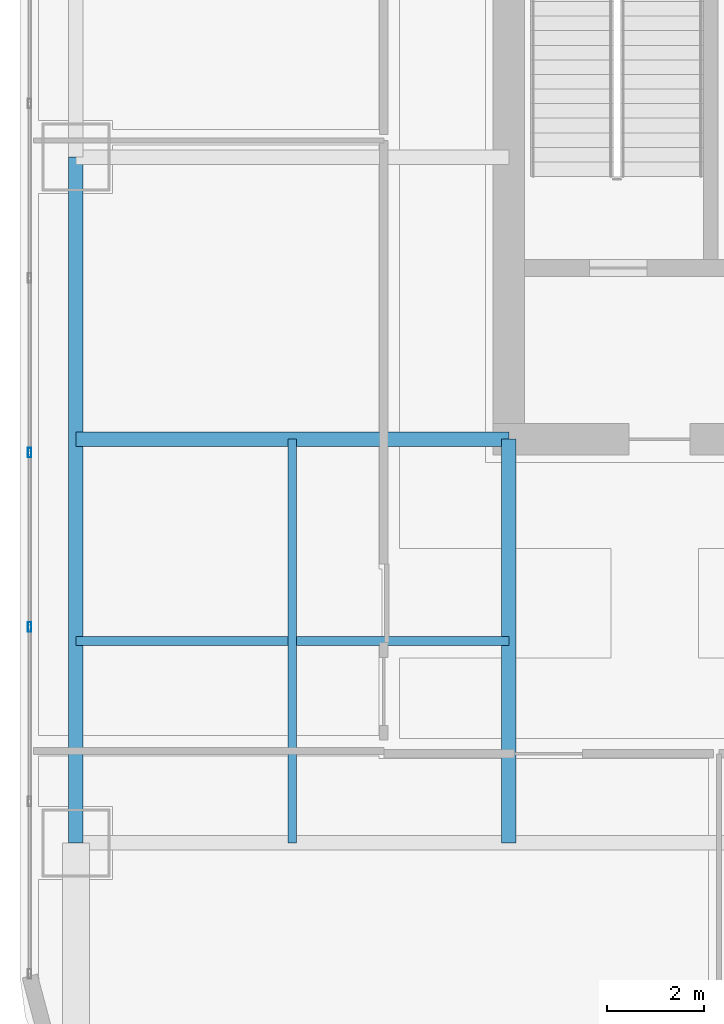
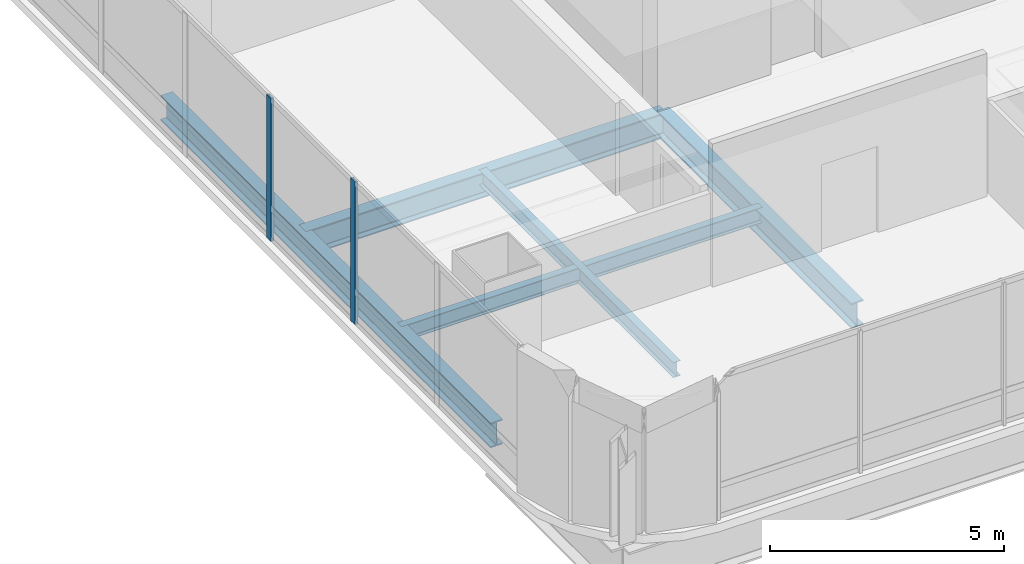
# One storey, part 4 of 35: 5 beams, 2 members, 1 element without a shape of its own.
"""IFC4 building model written with IfcOpenShell, lengths in metres."""

from ifc_helpers import new_model, si_unit, direction, frame, origin, origin_2d, place, context, subcontext, project, spatial, hollow_rectangle, i_section, extrude, material, material_profile, profile_set, type_object, element, aggregate, save


model = new_model("IFC4")

# Units and contexts
model_context = context("Model", 3, precision=1e-05, world=origin(), true_north=direction((0.0, 1.0)))
body_context = subcontext(model_context, "Body", "Model", "MODEL_VIEW")
ifc_project = project(units=[si_unit("LENGTHUNIT", "METRE"), si_unit("AREAUNIT", "SQUARE_METRE"), si_unit("VOLUMEUNIT", "CUBIC_METRE"), si_unit("PLANEANGLEUNIT", "RADIAN"), si_unit("MASSUNIT", "GRAM", prefix="KILO")], contexts=[model_context])

# Site, building, storey
site_placement = place(None, origin())
site = spatial("IfcSite", under=ifc_project, at=site_placement, CompositionType="ELEMENT")
building_placement = place(site_placement, origin())
building = spatial("IfcBuilding", under=site, at=building_placement, Name="Punatoya Terracotta Tower", CompositionType="ELEMENT")
storey_placement = place(building_placement, frame((0.0, 0.0, 232.949951171875)))
storey = spatial("IfcBuildingStorey", under=building, at=storey_placement, Name="L55", CompositionType="ELEMENT", Elevation=232.949951171875)

# Beams
ifc_material_1 = material(Name="Steel S355", Category="steel")
ifc_material_profile_1 = material_profile(ifc_material_1, i_section(OverallWidth=0.300048828125, OverallDepth=0.64990234375, WebThickness=0.01611328125, FlangeThickness=0.031005859375, FilletRadius=0.01806640625, at=origin_2d()))
ifc_profile_set_1 = profile_set([ifc_material_profile_1], Name="Steel S355")
beam_type_1 = type_object("IfcBeamType", Name="BM-PRI-650", PredefinedType="BEAM", material=ifc_profile_set_1)
beam_1_placement = place(storey_placement, frame((-19.10009765625, -17.5, -0.544921875), z_axis=(0.0, 1.0, 0.0), x_axis=(-1.0, 0.0, 0.0)))
element("IfcBeam", 1, at=beam_1_placement, inside=storey, type_object=beam_type_1, Name="BM-L55-RG-W1", PredefinedType="BEAM", context=body_context, shape_type="SweptSolid", body=[
    extrude(i_section(OverallWidth=0.300048828125, OverallDepth=0.64990234375, WebThickness=0.01611328125, FlangeThickness=0.031005859375, FilletRadius=0.01806640625, at=origin_2d()), origin(), (0.0, 0.0, 1.0), 14.10009765625),
])
beam_2_placement = place(storey_placement, frame((-19.10009765625, -9.199951171875, -0.544921875), z_axis=(1.0, 0.0, 0.0), x_axis=(0.0, 1.0, 0.0)))
element("IfcBeam", 2, at=beam_2_placement, inside=storey, type_object=beam_type_1, Name="BM-L55-PR-WS", PredefinedType="BEAM", context=body_context, shape_type="SweptSolid", body=[
    extrude(i_section(OverallWidth=0.300048828125, OverallDepth=0.64990234375, WebThickness=0.01611328125, FlangeThickness=0.031005859375, FilletRadius=0.01806640625, at=origin_2d()), origin(), (0.0, 0.0, 1.0), 8.900146484375),
])
beam_3_placement = place(storey_placement, frame((-10.199951171875, -17.5, -0.544921875), z_axis=(0.0, 1.0, 0.0), x_axis=(-1.0, 0.0, 0.0)))
element("IfcBeam", 3, at=beam_3_placement, inside=storey, type_object=beam_type_1, Name="BM-L55-PR-S1", PredefinedType="BEAM", context=body_context, shape_type="SweptSolid", body=[
    extrude(i_section(OverallWidth=0.300048828125, OverallDepth=0.64990234375, WebThickness=0.01611328125, FlangeThickness=0.031005859375, FilletRadius=0.01806640625, at=origin_2d()), origin(), (0.0, 0.0, 1.0), 8.300048828125),
])
ifc_material_profile_2 = material_profile(ifc_material_1, i_section(OverallWidth=0.179931640625, OverallDepth=0.39990234375, WebThickness=0.008544921875, FlangeThickness=0.013427734375, FilletRadius=0.01806640625, at=origin_2d()))
ifc_profile_set_2 = profile_set([ifc_material_profile_2], Name="Steel S355")
beam_type_2 = type_object("IfcBeamType", Name="BM-SEC-400", PredefinedType="JOIST", material=ifc_profile_set_2)
beam_4_placement = place(storey_placement, frame((-19.10009765625, -13.35009765625, -0.419921875), z_axis=(1.0, 0.0, 0.0), x_axis=(0.0, 1.0, 0.0)))
element("IfcBeam", 4, at=beam_4_placement, inside=storey, type_object=beam_type_2, Name="BM-L55-SJS-1", PredefinedType="JOIST", context=body_context, shape_type="SweptSolid", body=[
    extrude(i_section(OverallWidth=0.179931640625, OverallDepth=0.39990234375, WebThickness=0.008544921875, FlangeThickness=0.013427734375, FilletRadius=0.01806640625, at=origin_2d()), origin(), (0.0, 0.0, 1.0), 8.900146484375),
])
beam_5_placement = place(storey_placement, frame((-14.64990234375, -17.5, -0.419921875), z_axis=(0.0, 1.0, 0.0), x_axis=(-1.0, 0.0, 0.0)))
element("IfcBeam", 5, at=beam_5_placement, inside=storey, type_object=beam_type_2, Name="BM-L55-SJW-1", PredefinedType="JOIST", context=body_context, shape_type="SweptSolid", body=[
    extrude(i_section(OverallWidth=0.179931640625, OverallDepth=0.39990234375, WebThickness=0.008544921875, FlangeThickness=0.013427734375, FilletRadius=0.01806640625, at=origin_2d()), origin(), (0.0, 0.0, 1.0), 8.300048828125),
])

# Curtain wall, members
ifc_material_2 = material(Name="Aluminium 6063-T6 + Double Low-E Glass", Category="aluminium")
curtain_wall_type = type_object("IfcCurtainWallType", Name="CW-M2", PredefinedType="NOTDEFINED", material=ifc_material_2)
curtain_wall_placement = place(storey_placement, origin())
curtain_wall = element("IfcCurtainWall", 6, at=curtain_wall_placement, inside=storey, type_object=curtain_wall_type, Name="L55 Curtain Wall CW-L55-W11-1", PredefinedType="NOTDEFINED")
ifc_material_3 = material(Name="Aluminium 6063-T6", Category="aluminium")
ifc_material_profile_3 = material_profile(ifc_material_3, hollow_rectangle(XDim=0.072021484375, YDim=0.195068359375, WallThickness=0.00439453125, at=origin_2d()))
ifc_profile_set_3 = profile_set([ifc_material_profile_3], Name="Aluminium 6063-T6")
member_type = type_object("IfcMemberType", Name="CW-MUL-M2", PredefinedType="MULLION", material=ifc_profile_set_3)
member_1_placement = place(storey_placement, frame((-20.050048828125, -9.474609375, 0.0), z_axis=(0.0, 0.0, 1.0), x_axis=(1.0, 0.0, 0.0)))
member_1 = element("IfcMember", 7, at=member_1_placement, type_object=member_type, Name="CW-L55-W11-1 Mullion 06", PredefinedType="MULLION", context=body_context, shape_type="SweptSolid", body=[
    extrude(hollow_rectangle(XDim=0.072021484375, YDim=0.195068359375, WallThickness=0.00439453125, at=origin_2d()), origin(), (0.0, 0.0, 1.0), 3.72998046875),
])
member_2_placement = place(storey_placement, frame((-20.050048828125, -13.06201171875, 0.0), z_axis=(0.0, 0.0, 1.0), x_axis=(1.0, 0.0, 0.0)))
member_2 = element("IfcMember", 8, at=member_2_placement, type_object=member_type, Name="CW-L55-W11-1 Mullion 07", PredefinedType="MULLION", context=body_context, shape_type="SweptSolid", body=[
    extrude(hollow_rectangle(XDim=0.072021484375, YDim=0.195068359375, WallThickness=0.00439453125, at=origin_2d()), origin(), (0.0, 0.0, 1.0), 3.72998046875),
])
aggregate(curtain_wall, [member_1, member_2])

save(model, "model.ifc")
